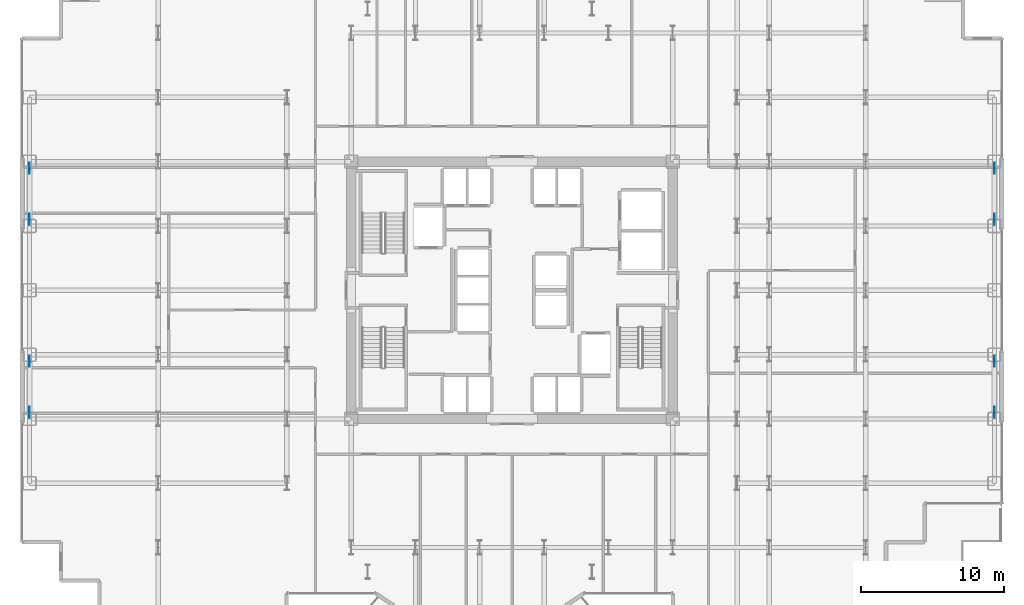
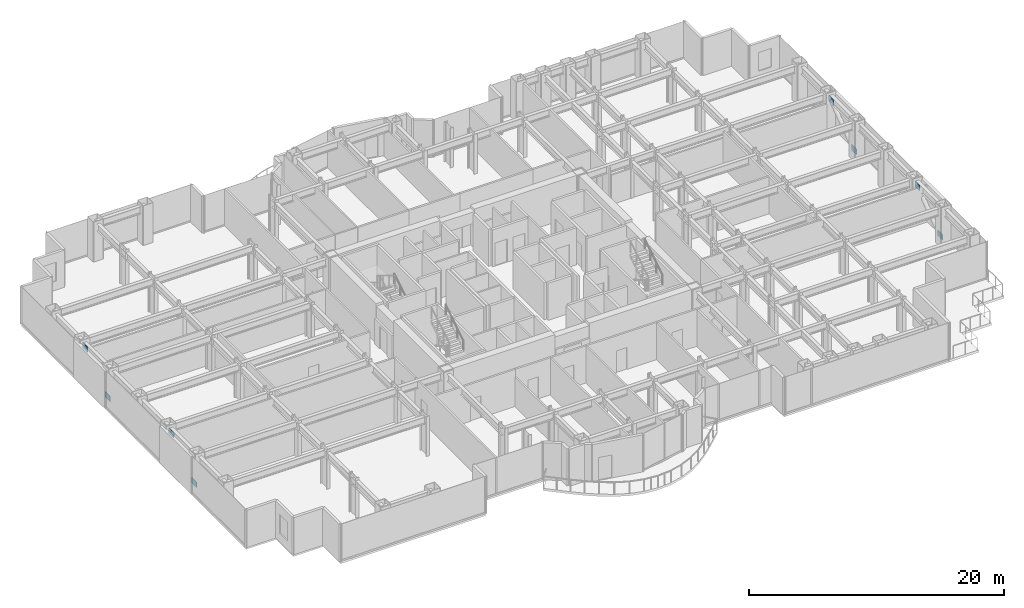
# One storey, part 21 of 29: 8 plates.
"""IFC4 building model written with IfcOpenShell, lengths in metres."""

import ifcopenshell
import ifcopenshell.guid

model = None  # the IFC model being written
_history = None  # IfcOwnerHistory: only IFC2X3 demands one
_inside = {}  # id of a spatial element -> (the spatial element, [elements in it])
_under = {}  # id of a project, library or spatial element -> (it, [spatial elements below it])
_declared = {}  # id of a project -> (the project, [libraries it declares])
_typed = {}  # id of a type object -> (the type object, [elements of that type])
_made_of = {}  # id of a material, layer set ... -> (it, [elements and type objects made of it])


def new_model(schema):
    """Start an empty IFC model of exactly this schema.

    Asked for "IFC4X3", IfcOpenShell would pick the latest addendum, in which some entities
    have other attributes; the version numbers below select the first issue.
    IFC2X3 requires an IfcOwnerHistory on every rooted entity: one is made here for all.
    """
    global model, _history
    if schema == "IFC4X3":
        model = ifcopenshell.file(schema_version=(4, 3, 0, 0))
    else:
        model = ifcopenshell.file(schema=schema)
    _inside.clear()
    _under.clear()
    _declared.clear()
    _typed.clear()
    _made_of.clear()
    _history = None
    if model.schema == "IFC2X3":
        org = make("IfcOrganization", Name="unknown")
        user = make(
            "IfcPersonAndOrganization",
            ThePerson=make("IfcPerson", FamilyName="unknown"),
            TheOrganization=org,
        )
        app = make(
            "IfcApplication",
            ApplicationDeveloper=org,
            Version="unknown",
            ApplicationFullName="unknown",
            ApplicationIdentifier="unknown",
        )
        _history = make(
            "IfcOwnerHistory",
            OwningUser=user,
            OwningApplication=app,
            ChangeAction="ADDED",
            CreationDate=0,
        )
    return model


def make(cls, **values):
    """One entity of the class cls with the attributes given. An attribute that is None is left unset."""
    return model.create_entity(
        cls, **{name: value for name, value in values.items() if value is not None}
    )


def rooted(cls, **values):
    """An entity with a GlobalId (a new one), such as an element, a storey or a relation."""
    return make(cls, GlobalId=ifcopenshell.guid.new(), OwnerHistory=_history, **values)


def si_unit(unit_type, name, prefix=None):
    """IfcSIUnit, for example si_unit("LENGTHUNIT", "METRE", prefix="MILLI")."""
    return make("IfcSIUnit", UnitType=unit_type, Prefix=prefix, Name=name)


def assignment(units):
    """IfcUnitAssignment: the units of a project."""
    return None if units is None else make("IfcUnitAssignment", Units=units)


def point(xyz):
    """IfcCartesianPoint."""
    return None if xyz is None else make("IfcCartesianPoint", Coordinates=xyz)


def direction(xyz):
    """IfcDirection."""
    return None if xyz is None else make("IfcDirection", DirectionRatios=xyz)


def frame(location, z_axis=None, x_axis=None):
    """IfcAxis2Placement3D, a coordinate frame: its origin and axes. An axis left out is left unset."""
    return make(
        "IfcAxis2Placement3D",
        Location=point(location),
        Axis=direction(z_axis),
        RefDirection=direction(x_axis),
    )


def frame_2d(location, x_axis=None):
    """IfcAxis2Placement2D, a coordinate frame in the plane: its origin and x axis."""
    return make(
        "IfcAxis2Placement2D", Location=point(location), RefDirection=direction(x_axis)
    )


def origin():
    """The frame at (0, 0, 0) with its axes left unset."""
    return frame((0.0, 0.0, 0.0))


def origin_2d():
    """The frame at (0, 0) in the plane with its x axis left unset."""
    return frame_2d((0.0, 0.0))


def place(relative_to, where):
    """IfcLocalPlacement: puts the frame where relative to a parent placement (None: the world)."""
    return make(
        "IfcLocalPlacement", PlacementRelTo=relative_to, RelativePlacement=where
    )


def context(
    kind, dimensions, precision=None, world=None, true_north=None, identifier=None
):
    """IfcGeometricRepresentationContext, for example the 3D "Model" context."""
    return make(
        "IfcGeometricRepresentationContext",
        ContextIdentifier=identifier,
        ContextType=kind,
        CoordinateSpaceDimension=dimensions,
        Precision=precision,
        WorldCoordinateSystem=world,
        TrueNorth=true_north,
    )


def subcontext(parent, identifier, kind, view, scale=None):
    """IfcGeometricRepresentationSubContext, for example "Body" below "Model"."""
    return make(
        "IfcGeometricRepresentationSubContext",
        ContextIdentifier=identifier,
        ContextType=kind,
        ParentContext=parent,
        TargetScale=scale,
        TargetView=view,
    )


def project(units=None, contexts=None):
    """IfcProject with its units and contexts."""
    return rooted(
        "IfcProject",
        Name="project",
        RepresentationContexts=contexts,
        UnitsInContext=assignment(units),
    )


def spatial(cls, under=None, at=None, **own):
    """A site, building, storey or space (cls), placed at a placement, below another one or the project."""
    s = rooted(cls, ObjectPlacement=at, **own)
    if under is not None:
        _under.setdefault(under.id(), (under, []))[1].append(s)
    return s


def profile(cls, at=None, kind="AREA", **sizes):
    """A parametric profile (cls). Its sizes go by their IFC names, for example OverallWidth=200.0."""
    return make(cls, ProfileType=kind, Position=at, **sizes)


def rectangle(**sizes):
    """IfcRectangleProfileDef."""
    return profile("IfcRectangleProfileDef", **sizes)


def extrude(swept, where, along, depth):
    """IfcExtrudedAreaSolid: the profile swept, set in the frame where, extruded along a direction by depth."""
    return make(
        "IfcExtrudedAreaSolid",
        SweptArea=swept,
        Position=where,
        ExtrudedDirection=direction(along),
        Depth=depth,
    )


def shape(context_of_items, identifier, shape_type, items):
    """IfcShapeRepresentation: the items that make up one representation, for example the "Body"."""
    return make(
        "IfcShapeRepresentation",
        ContextOfItems=context_of_items,
        RepresentationIdentifier=identifier,
        RepresentationType=shape_type,
        Items=items,
    )


def source(mapping_origin, context_of_items, identifier, shape_type, items):
    """IfcRepresentationMap: a shape defined once, which mapped items show again and again."""
    return make(
        "IfcRepresentationMap",
        MappingOrigin=mapping_origin,
        MappedRepresentation=shape(context_of_items, identifier, shape_type, items),
    )


def transform(
    local_origin,
    x_axis=None,
    y_axis=None,
    z_axis=None,
    scale=None,
    scale2=None,
    scale3=None,
    uniform=True,
):
    """IfcCartesianTransformationOperator3D, or its non-uniform kind. x_axis, y_axis, z_axis: its Axis1, 2, 3."""
    if uniform:
        return make(
            "IfcCartesianTransformationOperator3D",
            Axis1=direction(x_axis),
            Axis2=direction(y_axis),
            LocalOrigin=point(local_origin),
            Scale=scale,
            Axis3=direction(z_axis),
        )
    return make(
        "IfcCartesianTransformationOperator3DnonUniform",
        Axis1=direction(x_axis),
        Axis2=direction(y_axis),
        LocalOrigin=point(local_origin),
        Scale=scale,
        Axis3=direction(z_axis),
        Scale2=scale2,
        Scale3=scale3,
    )


def mapped(mapping_source, mapping_target):
    """IfcMappedItem: shows the shape of a source again, moved by a transform."""
    return make(
        "IfcMappedItem", MappingSource=mapping_source, MappingTarget=mapping_target
    )


def material(Name=None, Category=None):
    """IfcMaterial."""
    return make("IfcMaterial", Name=Name, Category=Category)


def layer(
    of_material, thickness, ventilated=None, Name=None, Category=None, Priority=None
):
    """IfcMaterialLayer: one layer of a wall or slab, of a material (None: an air gap)."""
    return make(
        "IfcMaterialLayer",
        Material=of_material,
        LayerThickness=thickness,
        IsVentilated=ventilated,
        Name=Name,
        Category=Category,
        Priority=Priority,
    )


def layer_set(layers, Name=None):
    """IfcMaterialLayerSet."""
    return make("IfcMaterialLayerSet", MaterialLayers=layers, LayerSetName=Name)


def made_of(thing, what):
    """Note that an element or type object is made of a material, layer set ...; save() writes the relation."""
    if what is not None:
        _made_of.setdefault(what.id(), (what, []))[1].append(thing)
    return thing


def type_object(cls, material=None, **own):
    """A type object (cls), such as IfcWallType, which elements share."""
    return made_of(rooted(cls, **own), material)


def element(
    cls,
    number,
    at=None,
    inside=None,
    cuts=None,
    type_object=None,
    material=None,
    context=None,
    identifier="Body",
    shape_type=None,
    held_by="IfcProductDefinitionShape",
    body=None,
    shapes=None,
    **own,
):
    """One element of the class cls, such as IfcWall. Its Tag is "e" and its number.

    at: its placement. inside: the storey or other place that contains it. cuts: it is an
    opening in that element (IfcRelVoidsElement). A single representation is given by context,
    identifier, shape_type and body (its items); several are given by shapes. held_by: the class
    of the entity that holds the representations. save() writes the other relations.
    """
    e = rooted(cls, Tag="e%d" % number, ObjectPlacement=at, **own)
    if body is not None:
        shapes = [shape(context, identifier, shape_type, body)]
    if shapes is not None:
        e.Representation = make(held_by, Representations=shapes)
    if inside is not None:
        _inside.setdefault(inside.id(), (inside, []))[1].append(e)
    if cuts is not None:
        rooted(
            "IfcRelVoidsElement", RelatingBuildingElement=cuts, RelatedOpeningElement=e
        )
    if type_object is not None:
        _typed.setdefault(type_object.id(), (type_object, []))[1].append(e)
    return made_of(e, material)


def aggregate(whole, parts):
    """IfcRelAggregates: a whole, such as a stair, and the parts it consists of."""
    return rooted("IfcRelAggregates", RelatingObject=whole, RelatedObjects=parts)


def save(model, path):
    """Write the relations noted so far, then the file.

    IfcRelAggregates (storeys below a building ...), IfcRelContainedInSpatialStructure (elements
    in a storey), IfcRelDefinesByType, IfcRelAssociatesMaterial and IfcRelDeclares: one each for
    every whole, place, type object, material and project.
    """
    for whole, parts in _under.values():
        aggregate(whole, parts)
    for where, things in _inside.values():
        rooted(
            "IfcRelContainedInSpatialStructure",
            RelatedElements=things,
            RelatingStructure=where,
        )
    for kind, things in _typed.values():
        rooted("IfcRelDefinesByType", RelatedObjects=things, RelatingType=kind)
    for what, things in _made_of.values():
        rooted("IfcRelAssociatesMaterial", RelatedObjects=things, RelatingMaterial=what)
    for by, libraries in _declared.values():
        rooted("IfcRelDeclares", RelatingContext=by, RelatedDefinitions=libraries)
    model.write(path)


model = new_model("IFC4")

# Units and contexts
model_context = context("Model", 3, precision=1e-05, world=origin(), true_north=direction((0.0, 1.0)))
body_context = subcontext(model_context, "Body", "Model", "MODEL_VIEW")
ifc_project = project(units=[si_unit("LENGTHUNIT", "METRE"), si_unit("AREAUNIT", "SQUARE_METRE"), si_unit("VOLUMEUNIT", "CUBIC_METRE"), si_unit("PLANEANGLEUNIT", "RADIAN"), si_unit("MASSUNIT", "GRAM", prefix="KILO")], contexts=[model_context])

# Site, building, storey
site_placement = place(None, origin())
site = spatial("IfcSite", under=ifc_project, at=site_placement, CompositionType="ELEMENT")
building_placement = place(site_placement, origin())
building = spatial("IfcBuilding", under=site, at=building_placement, Name="Nefas-Gora Pilgrimage Tower", CompositionType="ELEMENT")
storey_placement = place(building_placement, frame((0.0, 0.0, 67.199951171875)))
storey = spatial("IfcBuildingStorey", under=building, at=storey_placement, Name="L15", CompositionType="ELEMENT", Elevation=67.199951171875)

# Plates
ifc_material = material(Name="Steel S460", Category="steel")
ifc_layer = layer(ifc_material, 0.048095703125)
ifc_layer_set = layer_set([ifc_layer], Name="Steel S460")
plate_type = type_object("IfcPlateType", Name="PLT-NODE-N07", PredefinedType="USERDEFINED", material=ifc_layer_set)
shared_shape = source(origin(), body_context, "Body", "SweptSolid", [
    extrude(rectangle(XDim=0.780029296875, YDim=0.0380859375, at=origin_2d()), origin(), (0.0, 0.0, 1.0), 0.5400390625),
])
for number, where, z_axis, x_axis, name in (
    (1, (-33.75, -8.537109375, 0.21142578125), (0.0, 0.0, 1.0), (0.0, 1.0, 0.0), "Structural Node Gusset Plate N07 (L15)"),
    (2, (-33.75, -4.962890625, 2.768798828125), (0.0, 0.0, 1.0), (0.0, 1.0, 0.0), "Structural Node Gusset Plate N07 (L15)"),
    (3, (-33.75, 4.962890625, 0.21142578125), (0.0, 0.0, 1.0), (0.0, 1.0, 0.0), "Structural Node Gusset Plate N07 (L15)"),
    (4, (-33.75, 8.537109375, 2.768798828125), (0.0, 0.0, 1.0), (0.0, 1.0, 0.0), "Structural Node Gusset Plate N07 (L15)"),
    (5, (33.75, -8.537109375, 0.21142578125), (0.0, 0.0, 1.0), (0.0, 1.0, 0.0), "Structural Node Gusset Plate N07 (L15)"),
    (6, (33.75, -4.962890625, 2.768798828125), (0.0, 0.0, 1.0), (0.0, 1.0, 0.0), "Structural Node Gusset Plate N07 (L15)"),
    (7, (33.75, 4.962890625, 0.21142578125), (0.0, 0.0, 1.0), (0.0, 1.0, 0.0), "Structural Node Gusset Plate N07 (L15)"),
    (8, (33.75, 8.537109375, 2.768798828125), (0.0, 0.0, 1.0), (0.0, 1.0, 0.0), "Structural Node Gusset Plate N07 (L15)"),
):
    element("IfcPlate", number, at=place(storey_placement, frame(where, z_axis=z_axis, x_axis=x_axis)), inside=storey, type_object=plate_type, Name=name, ObjectType="GUSSET_PLATE", PredefinedType="USERDEFINED", context=body_context, shape_type="MappedRepresentation", body=[
        mapped(shared_shape, transform((0.0, 0.0, 0.0), x_axis=(1.0, 0.0, 0.0), y_axis=(0.0, 1.0, 0.0), z_axis=(0.0, 0.0, 1.0), scale=1.0)),
    ])

save(model, "model.ifc")
